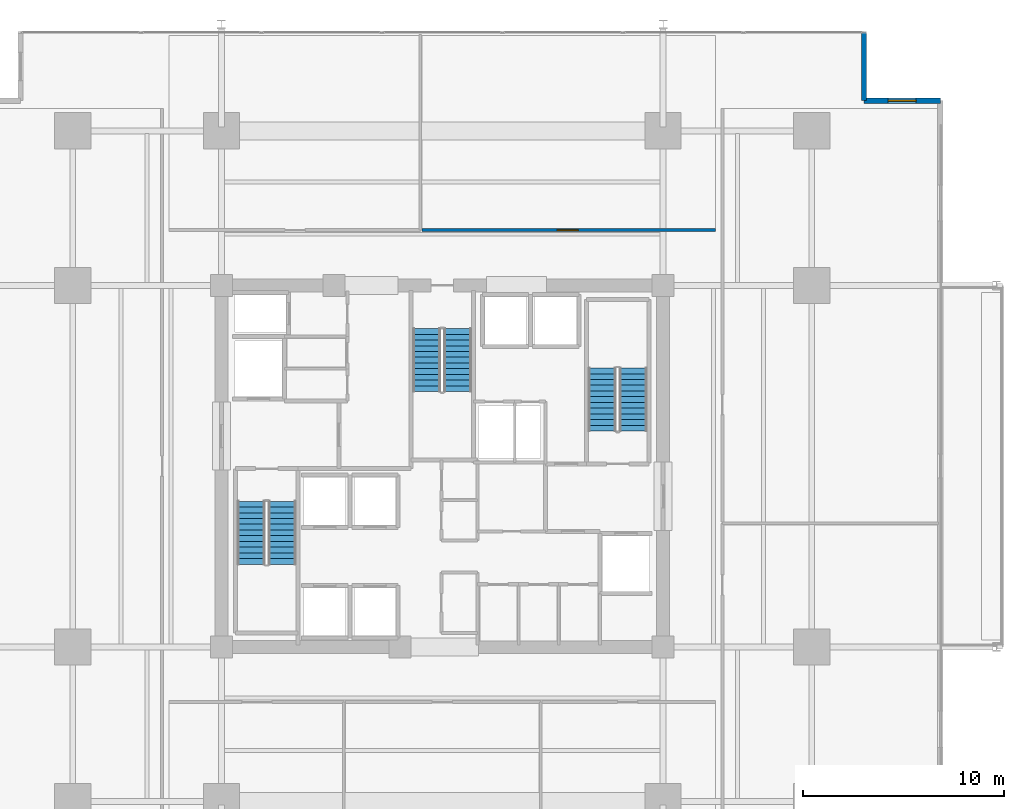
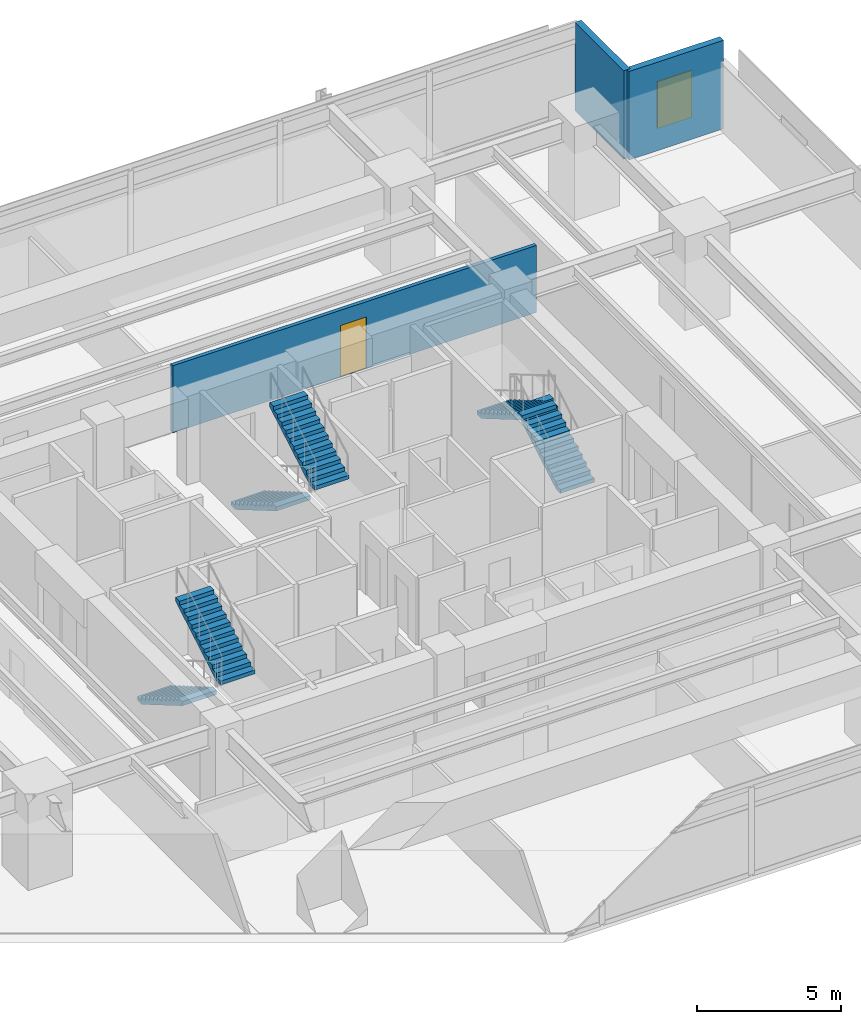
# One storey, part 17 of 21: 6 stair flights, 3 walls, 1 door, 1 window, 2 openings, 3 elements without a shape of their own.
"""IFC4 building model written with IfcOpenShell, lengths in metres."""

from ifc_helpers import new_model, si_unit, direction, frame, frame_2d, origin, place, context, subcontext, project, spatial, polyline, rectangle, outline, extrude, material, layer, layer_set, type_object, element, fill, aggregate, save


model = new_model("IFC4")

# Units and contexts
model_context = context("Model", 3, precision=1e-05, world=origin(), true_north=direction((0.0, 1.0)))
body_context = subcontext(model_context, "Body", "Model", "MODEL_VIEW")
ifc_project = project(units=[si_unit("LENGTHUNIT", "METRE"), si_unit("AREAUNIT", "SQUARE_METRE"), si_unit("VOLUMEUNIT", "CUBIC_METRE"), si_unit("PLANEANGLEUNIT", "RADIAN"), si_unit("MASSUNIT", "GRAM", prefix="KILO")], contexts=[model_context])

# Site, building, storey
site_placement = place(None, origin())
site = spatial("IfcSite", under=ifc_project, at=site_placement, CompositionType="ELEMENT")
building_placement = place(site_placement, origin())
building = spatial("IfcBuilding", under=site, at=building_placement, Name="Kovane Verandah Tower", CompositionType="ELEMENT")
storey_placement = place(building_placement, frame((0.0, 0.0, 27.60009765625)))
storey = spatial("IfcBuildingStorey", under=building, at=storey_placement, Name="L05", CompositionType="ELEMENT", Elevation=27.60009765625)

# Wall, opening, door
ifc_material_1 = material(Name="Fire-Rated Gypsum Stud Partition", Category="gypsum")
ifc_layer_1 = layer(ifc_material_1, 0.14990234375)
ifc_layer_set_1 = layer_set([ifc_layer_1], Name="Fire-Rated Gypsum Stud Partition")
wall_type_1 = type_object("IfcWallType", Name="WL-COR-150", PredefinedType="PARTITIONING", material=ifc_layer_set_1)
wall_1_placement = place(storey_placement, frame((38.98193359375, 39.25, 0.0), z_axis=(0.0, 0.0, 1.0), x_axis=(1.0, 0.0, 0.0)))
wall_1 = element("IfcWall", 1, at=wall_1_placement, inside=storey, type_object=wall_type_1, Name="L05 Executive Office N2 Corridor Partition", PredefinedType="PARTITIONING", context=body_context, shape_type="SweptSolid", body=[
    extrude(rectangle(XDim=14.6181640625, YDim=0.14990234375, at=frame_2d((7.30908203125, 0.0))), origin(), (0.0, 0.0, 1.0), 2.849853515625),
])
opening_1_placement = place(wall_1_placement, frame((6.73388671875, 0.0, 0.0)))
opening_1 = element("IfcOpeningElement", 2, at=opening_1_placement, cuts=wall_1, Name="Opening DR-L05-022", PredefinedType="OPENING", context=body_context, shape_type="SweptSolid", body=[
    extrude(rectangle(XDim=1.050048828125, YDim=2.199951171875, at=frame_2d((0.52490234375, 1.10009765625))), frame((0.0, 0.074951171875, 0.0), z_axis=(0.0, -1.0, 0.0), x_axis=(1.0, 0.0, 0.0)), (0.0, 0.0, 1.0), 0.14990234375),
])
ifc_material_2 = material(Name="FSC Blackbutt Timber Fire-Rated Executive Door", Category="wood")
door_type = type_object("IfcDoorType", Name="DR-EXEC-1050", OperationType="SINGLE_SWING_LEFT", PredefinedType="DOOR", material=ifc_material_2)
door_placement = place(opening_1_placement, origin())
door = element("IfcDoor", 3, at=door_placement, inside=storey, type_object=door_type, Name="L05 Executive Office N2 Entrance Door", OperationType="SINGLE_SWING_RIGHT", OverallHeight=2.199951171875, OverallWidth=1.050048828125, PredefinedType="DOOR", context=body_context, shape_type="SweptSolid", body=[
    extrude(rectangle(XDim=1.050048828125, YDim=2.199951171875, at=frame_2d((0.52490234375, 1.10009765625))), frame((0.0, 0.02490234375, 0.0), z_axis=(0.0, -1.0, 0.0), x_axis=(1.0, 0.0, 0.0)), (0.0, 0.0, 1.0), 0.050048828125),
])
fill(opening_1, door)

# Wall, opening, window
ifc_material_3 = material(Name="Concrete C45/55 Insulated Spandrel Wall", Category="concrete")
ifc_layer_2 = layer(ifc_material_3, 0.260009765625)
ifc_layer_set_2 = layer_set([ifc_layer_2], Name="Concrete C45/55 Insulated Spandrel Wall")
wall_type_2 = type_object("IfcWallType", Name="WL-SPANDREL-260", PredefinedType="PARAPET", material=ifc_layer_set_2)
wall_2_placement = place(storey_placement, frame((64.800048828125, 45.699951171875, 0.0), z_axis=(0.0, 0.0, 1.0), x_axis=(-1.0, 0.0, 0.0)))
wall_2 = element("IfcWall", 4, at=wall_2_placement, inside=storey, type_object=wall_type_2, Name="L05 NE Notch Cheek Wall 1", PredefinedType="PARAPET", context=body_context, shape_type="SweptSolid", body=[
    extrude(rectangle(XDim=3.800048828125, YDim=0.260009765625, at=frame_2d((1.89990234375, 0.0))), origin(), (0.0, 0.0, 1.0), 3.760009765625),
])
opening_2_placement = place(wall_2_placement, frame((1.199951171875, 0.0, 0.85009765625)))
opening_2 = element("IfcOpeningElement", 5, at=opening_2_placement, cuts=wall_2, Name="Opening W-01", PredefinedType="OPENING", context=body_context, shape_type="SweptSolid", body=[
    extrude(rectangle(XDim=1.39990234375, YDim=2.0, at=frame_2d((0.699951171875, 1.0))), frame((0.0, 0.1298828125, 0.0), z_axis=(0.0, -1.0, 0.0), x_axis=(1.0, 0.0, 0.0)), (0.0, 0.0, 1.0), 0.260009765625),
])
ifc_material_4 = material(Name="Clear Low-E Laminated Double Glazing in Anodised Frame", Category="glass")
window_type = type_object("IfcWindowType", Name="WN-OPER-1400x2000", PartitioningType="SINGLE_PANEL", PredefinedType="WINDOW", material=ifc_material_4)
window_placement = place(opening_2_placement, origin())
window = element("IfcWindow", 6, at=window_placement, inside=storey, type_object=window_type, Name="L05 NE Re-Entrant Corner Operable Window", OverallHeight=2.0, OverallWidth=1.39990234375, PartitioningType="SINGLE_PANEL", PredefinedType="WINDOW", context=body_context, shape_type="SweptSolid", body=[
    extrude(rectangle(XDim=1.39990234375, YDim=2.0, at=frame_2d((0.699951171875, 1.0))), frame((0.0, 0.030029296875, 0.0), z_axis=(0.0, -1.0, 0.0), x_axis=(1.0, 0.0, 0.0)), (0.0, 0.0, 1.0), 0.06005859375),
])
fill(opening_2, window)

# Wall
wall_3_placement = place(storey_placement, frame((61.0, 45.699951171875, 0.0), z_axis=(0.0, 0.0, 1.0), x_axis=(0.0, 1.0, 0.0)))
element("IfcWall", 7, at=wall_3_placement, inside=storey, type_object=wall_type_2, Name="L05 NE Notch Cheek Wall 2", PredefinedType="PARAPET", context=body_context, shape_type="SweptSolid", body=[
    extrude(rectangle(XDim=3.400146484375, YDim=0.260009765625, at=frame_2d((1.7001953125, 0.0))), origin(), (0.0, 0.0, 1.0), 3.760009765625),
])

# Stair, stair flights
ifc_material_5 = material(Name="Concrete C45/55", Category="concrete")
stair_type = type_object("IfcStairType", Name="ST-CORE-1380", PredefinedType="HALF_TURN_STAIR", material=ifc_material_5)
stair_1_placement = place(storey_placement, origin())
stair_1 = element("IfcStair", 8, at=stair_1_placement, inside=storey, type_object=stair_type, Name="L05 Exit Stair ST-01", PredefinedType="HALF_TURN_STAIR")
stair_flight_type = type_object("IfcStairFlightType", Name="STF-CORE-1380", PredefinedType="STRAIGHT", material=ifc_material_5)
stair_flight_1_placement = place(storey_placement, frame((30.489990234375, 25.75, 0.0), z_axis=(0.0, 0.0, 1.0), x_axis=(0.0, -1.0, 0.0)))
stair_flight_1 = element("IfcStairFlight", 9, at=stair_flight_1_placement, type_object=stair_flight_type, Name="ST-01 flight 1", NumberOfRisers=12, NumberOfTreads=11, PredefinedType="STRAIGHT", RiserHeight=0.166666667, TreadLength=0.285, context=body_context, shape_type="SweptSolid", body=[
    extrude(outline(polyline([(0.0, 0.0), (0.0, 0.166748046875), (0.284912109375, 0.166748046875), (0.284912109375, 0.333251953125), (0.570068359375, 0.333251953125), (0.570068359375, 0.5), (0.85498046875, 0.5), (0.85498046875, 0.666748046875), (1.139892578125, 0.666748046875), (1.139892578125, 0.833251953125), (1.425048828125, 0.833251953125), (1.425048828125, 1.0), (1.7099609375, 1.0), (1.7099609375, 1.166748046875), (1.9951171875, 1.166748046875), (1.9951171875, 1.333251953125), (2.280029296875, 1.333251953125), (2.280029296875, 1.5), (2.56494140625, 1.5), (2.56494140625, 1.666748046875), (2.85009765625, 1.666748046875), (2.85009765625, 1.833251953125), (3.135009765625, 1.833251953125), (3.135009765625, 2.0), (3.135009765625, 1.65966796875), (0.296875, 0.0), (0.0, 0.0)])), frame((0.0, 0.68994140625, 0.0), z_axis=(0.0, -1.0, 0.0), x_axis=(1.0, 0.0, 0.0)), (0.0, 0.0, 1.0), 1.3798828125),
])
stair_flight_2_placement = place(storey_placement, frame((32.030029296875, 22.614990234375, 2.0), z_axis=(0.0, 0.0, 1.0), x_axis=(0.0, 1.0, 0.0)))
stair_flight_2 = element("IfcStairFlight", 10, at=stair_flight_2_placement, type_object=stair_flight_type, Name="ST-01 flight 2", NumberOfRisers=12, NumberOfTreads=11, PredefinedType="STRAIGHT", RiserHeight=0.166666667, TreadLength=0.285, context=body_context, shape_type="SweptSolid", body=[
    extrude(outline(polyline([(0.0, 0.0), (0.0, 0.166748046875), (0.284912109375, 0.166748046875), (0.284912109375, 0.333251953125), (0.570068359375, 0.333251953125), (0.570068359375, 0.5), (0.85498046875, 0.5), (0.85498046875, 0.666748046875), (1.139892578125, 0.666748046875), (1.139892578125, 0.833251953125), (1.425048828125, 0.833251953125), (1.425048828125, 1.0), (1.7099609375, 1.0), (1.7099609375, 1.166748046875), (1.9951171875, 1.166748046875), (1.9951171875, 1.333251953125), (2.280029296875, 1.333251953125), (2.280029296875, 1.5), (2.56494140625, 1.5), (2.56494140625, 1.666748046875), (2.85009765625, 1.666748046875), (2.85009765625, 1.833251953125), (3.135009765625, 1.833251953125), (3.135009765625, 2.0), (3.135009765625, 1.65966796875), (0.296875, 0.0), (0.0, 0.0)])), frame((0.0, 0.68994140625, 0.0), z_axis=(0.0, -1.0, 0.0), x_axis=(1.0, 0.0, 0.0)), (0.0, 0.0, 1.0), 1.3798828125),
])
aggregate(stair_1, [stair_flight_1, stair_flight_2])

stair_2_placement = place(storey_placement, origin())
stair_2 = element("IfcStair", 11, at=stair_2_placement, inside=storey, type_object=stair_type, Name="L05 Exit Stair ST-02", PredefinedType="HALF_TURN_STAIR")
stair_flight_3_placement = place(storey_placement, frame((49.510009765625, 29.25, 0.0), z_axis=(0.0, 0.0, 1.0), x_axis=(0.0, 1.0, 0.0)))
stair_flight_3 = element("IfcStairFlight", 12, at=stair_flight_3_placement, type_object=stair_flight_type, Name="ST-02 flight 1", NumberOfRisers=12, NumberOfTreads=11, PredefinedType="STRAIGHT", RiserHeight=0.166666667, TreadLength=0.285, context=body_context, shape_type="SweptSolid", body=[
    extrude(outline(polyline([(0.0, 0.0), (0.0, 0.166748046875), (0.284912109375, 0.166748046875), (0.284912109375, 0.333251953125), (0.570068359375, 0.333251953125), (0.570068359375, 0.5), (0.85498046875, 0.5), (0.85498046875, 0.666748046875), (1.139892578125, 0.666748046875), (1.139892578125, 0.833251953125), (1.425048828125, 0.833251953125), (1.425048828125, 1.0), (1.7099609375, 1.0), (1.7099609375, 1.166748046875), (1.9951171875, 1.166748046875), (1.9951171875, 1.333251953125), (2.280029296875, 1.333251953125), (2.280029296875, 1.5), (2.56494140625, 1.5), (2.56494140625, 1.666748046875), (2.85009765625, 1.666748046875), (2.85009765625, 1.833251953125), (3.135009765625, 1.833251953125), (3.135009765625, 2.0), (3.135009765625, 1.65966796875), (0.296875, 0.0), (0.0, 0.0)])), frame((0.0, 0.68994140625, 0.0), z_axis=(0.0, -1.0, 0.0), x_axis=(1.0, 0.0, 0.0)), (0.0, 0.0, 1.0), 1.3798828125),
])
stair_flight_4_placement = place(storey_placement, frame((47.969970703125, 32.385009765625, 2.0), z_axis=(0.0, 0.0, 1.0), x_axis=(0.0, -1.0, 0.0)))
stair_flight_4 = element("IfcStairFlight", 13, at=stair_flight_4_placement, type_object=stair_flight_type, Name="ST-02 flight 2", NumberOfRisers=12, NumberOfTreads=11, PredefinedType="STRAIGHT", RiserHeight=0.166666667, TreadLength=0.285, context=body_context, shape_type="SweptSolid", body=[
    extrude(outline(polyline([(0.0, 0.0), (0.0, 0.166748046875), (0.284912109375, 0.166748046875), (0.284912109375, 0.333251953125), (0.570068359375, 0.333251953125), (0.570068359375, 0.5), (0.85498046875, 0.5), (0.85498046875, 0.666748046875), (1.139892578125, 0.666748046875), (1.139892578125, 0.833251953125), (1.425048828125, 0.833251953125), (1.425048828125, 1.0), (1.7099609375, 1.0), (1.7099609375, 1.166748046875), (1.9951171875, 1.166748046875), (1.9951171875, 1.333251953125), (2.280029296875, 1.333251953125), (2.280029296875, 1.5), (2.56494140625, 1.5), (2.56494140625, 1.666748046875), (2.85009765625, 1.666748046875), (2.85009765625, 1.833251953125), (3.135009765625, 1.833251953125), (3.135009765625, 2.0), (3.135009765625, 1.65966796875), (0.296875, 0.0), (0.0, 0.0)])), frame((0.0, 0.68994140625, 0.0), z_axis=(0.0, -1.0, 0.0), x_axis=(1.0, 0.0, 0.0)), (0.0, 0.0, 1.0), 1.3798828125),
])
aggregate(stair_2, [stair_flight_3, stair_flight_4])

stair_3_placement = place(storey_placement, origin())
stair_3 = element("IfcStair", 14, at=stair_3_placement, inside=storey, type_object=stair_type, Name="L05 Exit Stair ST-03", PredefinedType="HALF_TURN_STAIR")
stair_flight_5_placement = place(storey_placement, frame((39.22998046875, 34.35009765625, 0.0), z_axis=(0.0, 0.0, 1.0), x_axis=(0.0, -1.0, 0.0)))
stair_flight_5 = element("IfcStairFlight", 15, at=stair_flight_5_placement, type_object=stair_flight_type, Name="ST-03 flight 1", NumberOfRisers=12, NumberOfTreads=11, PredefinedType="STRAIGHT", RiserHeight=0.166666667, TreadLength=0.285, context=body_context, shape_type="SweptSolid", body=[
    extrude(outline(polyline([(0.0, 0.0), (0.0, 0.166748046875), (0.284912109375, 0.166748046875), (0.284912109375, 0.333251953125), (0.570068359375, 0.333251953125), (0.570068359375, 0.5), (0.85498046875, 0.5), (0.85498046875, 0.666748046875), (1.139892578125, 0.666748046875), (1.139892578125, 0.833251953125), (1.425048828125, 0.833251953125), (1.425048828125, 1.0), (1.7099609375, 1.0), (1.7099609375, 1.166748046875), (1.9951171875, 1.166748046875), (1.9951171875, 1.333251953125), (2.280029296875, 1.333251953125), (2.280029296875, 1.5), (2.56494140625, 1.5), (2.56494140625, 1.666748046875), (2.85009765625, 1.666748046875), (2.85009765625, 1.833251953125), (3.135009765625, 1.833251953125), (3.135009765625, 2.0), (3.135009765625, 1.65966796875), (0.296875, 0.0), (0.0, 0.0)])), frame((0.0, 0.68994140625, 0.0), z_axis=(0.0, -1.0, 0.0), x_axis=(1.0, 0.0, 0.0)), (0.0, 0.0, 1.0), 1.3798828125),
])
stair_flight_6_placement = place(storey_placement, frame((40.77001953125, 31.215087890625, 2.0), z_axis=(0.0, 0.0, 1.0), x_axis=(0.0, 1.0, 0.0)))
stair_flight_6 = element("IfcStairFlight", 16, at=stair_flight_6_placement, type_object=stair_flight_type, Name="ST-03 flight 2", NumberOfRisers=12, NumberOfTreads=11, PredefinedType="STRAIGHT", RiserHeight=0.166666667, TreadLength=0.285, context=body_context, shape_type="SweptSolid", body=[
    extrude(outline(polyline([(0.0, 0.0), (0.0, 0.166748046875), (0.284912109375, 0.166748046875), (0.284912109375, 0.333251953125), (0.570068359375, 0.333251953125), (0.570068359375, 0.5), (0.85498046875, 0.5), (0.85498046875, 0.666748046875), (1.139892578125, 0.666748046875), (1.139892578125, 0.833251953125), (1.425048828125, 0.833251953125), (1.425048828125, 1.0), (1.7099609375, 1.0), (1.7099609375, 1.166748046875), (1.9951171875, 1.166748046875), (1.9951171875, 1.333251953125), (2.280029296875, 1.333251953125), (2.280029296875, 1.5), (2.56494140625, 1.5), (2.56494140625, 1.666748046875), (2.85009765625, 1.666748046875), (2.85009765625, 1.833251953125), (3.135009765625, 1.833251953125), (3.135009765625, 2.0), (3.135009765625, 1.65966796875), (0.296875, 0.0), (0.0, 0.0)])), frame((0.0, 0.68994140625, 0.0), z_axis=(0.0, -1.0, 0.0), x_axis=(1.0, 0.0, 0.0)), (0.0, 0.0, 1.0), 1.3798828125),
])
aggregate(stair_3, [stair_flight_5, stair_flight_6])

save(model, "model.ifc")
